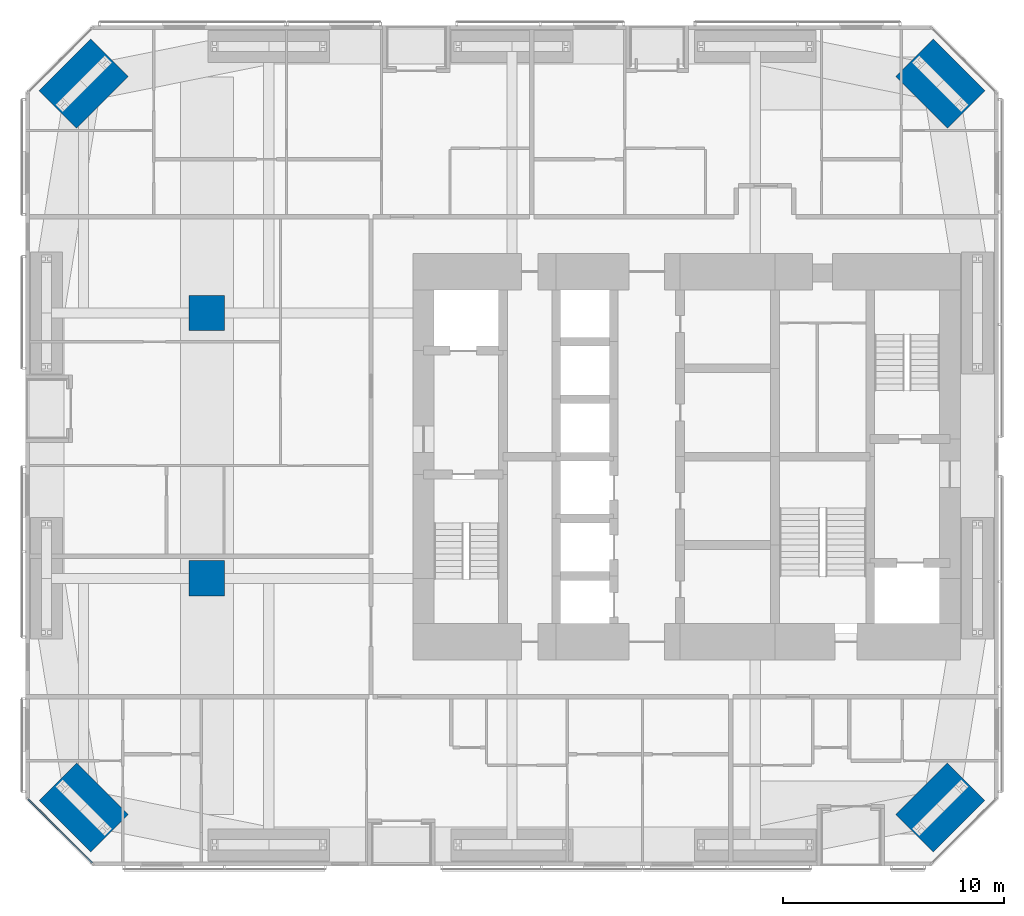
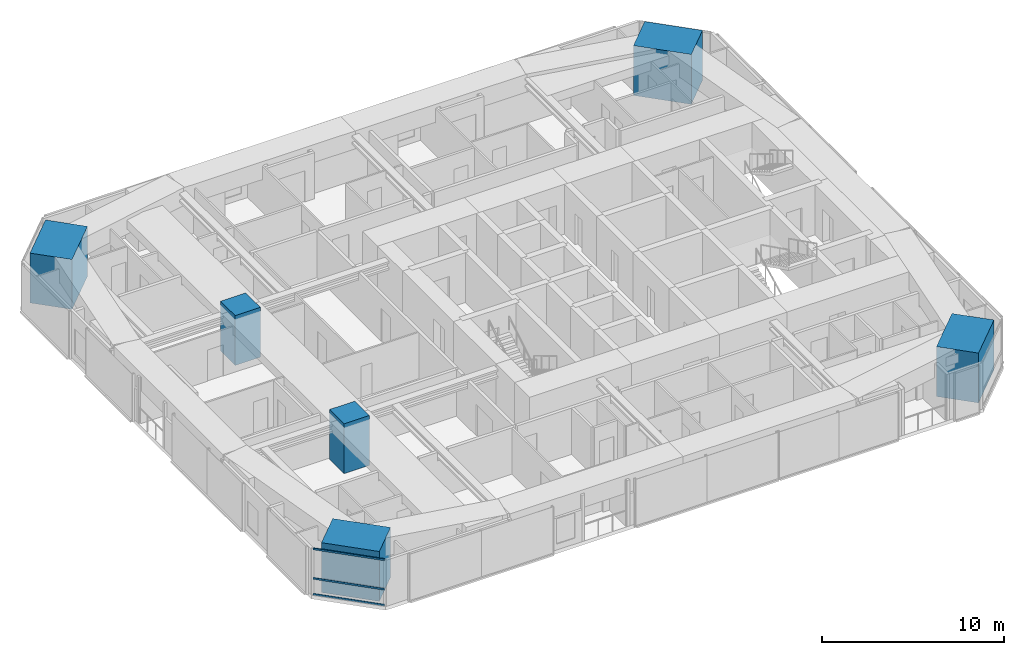
# One storey, part 1 of 22: 6 columns, 3 members, 1 element without a shape of its own.
"""IFC4 building model written with IfcOpenShell, lengths in metres."""

from ifc_helpers import new_model, si_unit, direction, frame, origin, origin_2d, place, context, subcontext, project, spatial, rectangle, extrude, material, material_profile, profile_set, type_object, element, aggregate, save


model = new_model("IFC4")

# Units and contexts
model_context = context("Model", 3, precision=1e-05, world=origin(), true_north=direction((0.0, 1.0)))
body_context = subcontext(model_context, "Body", "Model", "MODEL_VIEW")
ifc_project = project(units=[si_unit("LENGTHUNIT", "METRE"), si_unit("AREAUNIT", "SQUARE_METRE"), si_unit("VOLUMEUNIT", "CUBIC_METRE"), si_unit("PLANEANGLEUNIT", "RADIAN"), si_unit("MASSUNIT", "GRAM", prefix="KILO")], contexts=[model_context])

# Site, building, storey
site_placement = place(None, origin())
site = spatial("IfcSite", under=ifc_project, at=site_placement, CompositionType="ELEMENT")
building_placement = place(site_placement, origin())
building = spatial("IfcBuilding", under=site, at=building_placement, Name="Jalousie Tower", CompositionType="ELEMENT")
storey_placement = place(building_placement, frame((0.0, 0.0, 64.550048828125)))
storey = spatial("IfcBuildingStorey", under=building, at=storey_placement, Name="L17", CompositionType="ELEMENT", Elevation=64.550048828125)

# Columns
ifc_material_1 = material(Name="Concrete f'c 120 MPa", Category="concrete")
ifc_material_profile_1 = material_profile(ifc_material_1, rectangle(XDim=1.60009765625, YDim=1.60009765625, at=origin_2d()), Name="RC 1600x1600")
ifc_profile_set_1 = profile_set([ifc_material_profile_1], Name="Concrete f'c 120 MPa")
column_type_1 = type_object("IfcColumnType", Name="RC COLUMN 1600x1600", PredefinedType="COLUMN", material=ifc_profile_set_1)
for number, where, z_axis, x_axis, name in (
    (1, (10.199951171875, 13.0, 0.0), (0.0, 0.0, 1.0), (1.0, 0.0, 0.0), "Interior column IA1 L17"),
    (2, (10.199951171875, 25.0, 0.0), (0.0, 0.0, 1.0), (1.0, 0.0, 0.0), "Interior column IA2 L17"),
):
    element("IfcColumn", number, at=place(storey_placement, frame(where, z_axis=z_axis, x_axis=x_axis)), inside=storey, type_object=column_type_1, Name=name, PredefinedType="COLUMN", context=body_context, shape_type="SweptSolid", body=[
        extrude(rectangle(XDim=1.60009765625, YDim=1.60009765625, at=origin_2d()), origin(), (0.0, 0.0, 1.0), 3.349853515625),
    ])
ifc_material_2 = material(Name="Concrete f'c 120 MPa", Category="concrete")
ifc_material_profile_2 = material_profile(ifc_material_2, rectangle(XDim=2.39990234375, YDim=3.300048828125, at=origin_2d()), Name="RC 2400x3300")
ifc_profile_set_2 = profile_set([ifc_material_profile_2], Name="Concrete f'c 120 MPa")
column_type_2 = type_object("IfcColumnType", Name="RC CORNER COLUMN 2400x3300", PredefinedType="COLUMN", material=ifc_profile_set_2)
for number, where, z_axis, x_axis, name in (
    (3, (4.63134765625, 2.63134765625, 0.0), (0.0, 0.0, 1.0), (0.707106781187, 0.707106781187, 0.0), "Corner column 01 L17"),
    (4, (43.36865234375, 2.63134765625, 0.0), (0.0, 0.0, 1.0), (-0.707106781187, 0.707106781187, 0.0), "Corner column 05 L17"),
    (5, (43.36865234375, 35.36865234375, 0.0), (0.0, 0.0, 1.0), (-0.707106781187, -0.707106781187, 0.0), "Corner column 08 L17"),
    (6, (4.63134765625, 35.36865234375, 0.0), (0.0, 0.0, 1.0), (0.707106781187, -0.707106781187, 0.0), "Corner column 12 L17"),
):
    element("IfcColumn", number, at=place(storey_placement, frame(where, z_axis=z_axis, x_axis=x_axis)), inside=storey, type_object=column_type_2, Name=name, PredefinedType="COLUMN", context=body_context, shape_type="SweptSolid", body=[
        extrude(rectangle(XDim=2.39990234375, YDim=3.300048828125, at=origin_2d()), origin(), (0.0, 0.0, 1.0), 3.349853515625),
    ])

# Curtain wall, members
ifc_material_3 = material(Name="Aluminium curtain wall", Category="aluminium")
curtain_wall_type = type_object("IfcCurtainWallType", Name="CORNER WINDOW WALL", PredefinedType="USERDEFINED", material=ifc_material_3)
curtain_wall_placement = place(storey_placement, origin())
curtain_wall = element("IfcCurtainWall", 7, at=curtain_wall_placement, inside=storey, type_object=curtain_wall_type, Name="Corner Window Wall L17 8", ObjectType="CORNER WINDOW WALL", PredefinedType="USERDEFINED")
ifc_material_4 = material(Name="Aluminium transom", Category="aluminium")
ifc_material_profile_3 = material_profile(ifc_material_4, rectangle(XDim=0.06005859375, YDim=0.1201171875, at=origin_2d()), Name="TRANSOM 60x120")
ifc_profile_set_3 = profile_set([ifc_material_profile_3], Name="Aluminium transom")
member_type = type_object("IfcMemberType", Name="CORNER WINDOW WALL TRANSOM", PredefinedType="USERDEFINED", material=ifc_profile_set_3)
member_1_placement = place(storey_placement, frame((2.1298828125, 3.0087890625, 0.030029296875), z_axis=(0.707106781187, -0.707106781187, 0.0), x_axis=(0.707106781187, 0.707106781187, 0.0)))
member_1 = element("IfcMember", 8, at=member_1_placement, type_object=member_type, Name="CW-C transom 1.1", ObjectType="TRANSOM", PredefinedType="USERDEFINED", context=body_context, shape_type="SweptSolid", body=[
    extrude(rectangle(XDim=0.06005859375, YDim=0.1201171875, at=origin_2d()), origin(), (0.0, 0.0, 1.0), 4.0712890625),
])
member_2_placement = place(storey_placement, frame((2.1298828125, 3.0087890625, 1.099853515625), z_axis=(0.707106781187, -0.707106781187, 0.0), x_axis=(0.707106781187, 0.707106781187, 0.0)))
member_2 = element("IfcMember", 9, at=member_2_placement, type_object=member_type, Name="CW-C transom 1.2", ObjectType="TRANSOM", PredefinedType="USERDEFINED", context=body_context, shape_type="SweptSolid", body=[
    extrude(rectangle(XDim=0.06005859375, YDim=0.1201171875, at=origin_2d()), origin(), (0.0, 0.0, 1.0), 4.0712890625),
])
member_3_placement = place(storey_placement, frame((2.1298828125, 3.0087890625, 3.079833984375), z_axis=(0.707106781187, -0.707106781187, 0.0), x_axis=(0.707106781187, 0.707106781187, 0.0)))
member_3 = element("IfcMember", 10, at=member_3_placement, type_object=member_type, Name="CW-C transom 1.3", ObjectType="TRANSOM", PredefinedType="USERDEFINED", context=body_context, shape_type="SweptSolid", body=[
    extrude(rectangle(XDim=0.06005859375, YDim=0.1201171875, at=origin_2d()), origin(), (0.0, 0.0, 1.0), 4.0712890625),
])
aggregate(curtain_wall, [member_1, member_2, member_3])

save(model, "model.ifc")
